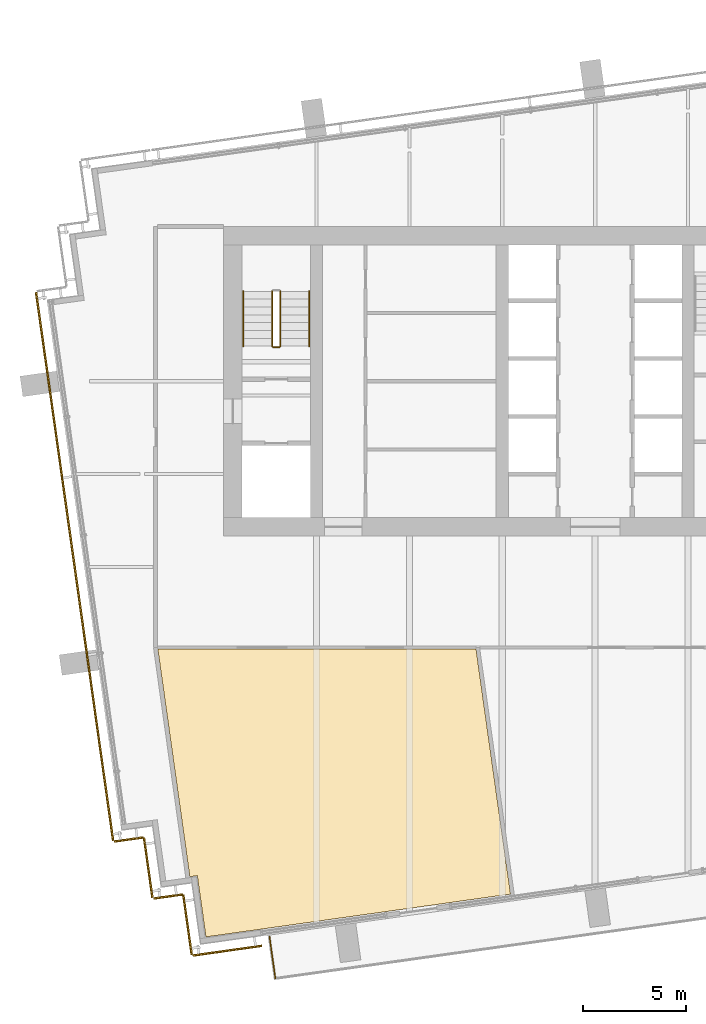
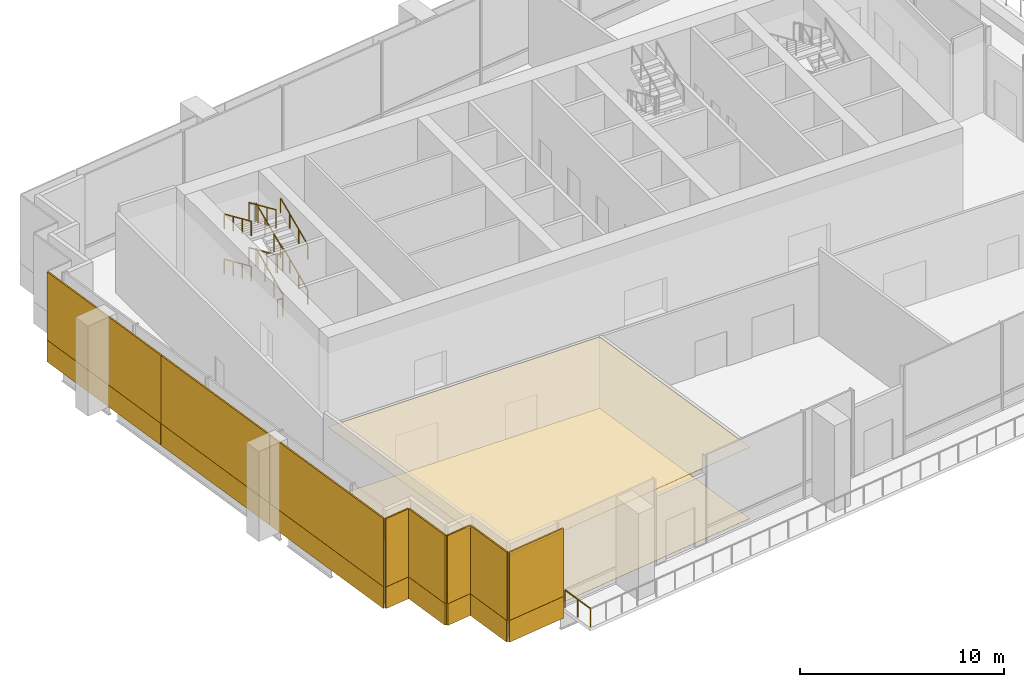
# One storey, part 10 of 14: 18 coverings, 11 railings.
"""IFC4 building model written with IfcOpenShell, lengths in metres."""

from ifc_helpers import new_model, si_unit, direction, frame, origin, origin_2d, place, context, subcontext, project, spatial, polyline, rectangle, outline, extrude, material, layer, layer_set, type_object, element, save


model = new_model("IFC4")

# Units and contexts
model_context = context("Model", 3, precision=1e-05, world=origin(), true_north=direction((0.0, 1.0)))
body_context = subcontext(model_context, "Body", "Model", "MODEL_VIEW")
ifc_project = project(units=[si_unit("LENGTHUNIT", "METRE"), si_unit("AREAUNIT", "SQUARE_METRE"), si_unit("VOLUMEUNIT", "CUBIC_METRE"), si_unit("PLANEANGLEUNIT", "RADIAN"), si_unit("MASSUNIT", "GRAM", prefix="KILO")], contexts=[model_context])

# Site, building, storey
site_placement = place(None, origin())
site = spatial("IfcSite", under=ifc_project, at=site_placement, CompositionType="ELEMENT")
building_placement = place(site_placement, origin())
building = spatial("IfcBuilding", under=site, at=building_placement, Name="Rattan Terrace Tower", CompositionType="ELEMENT")
storey_placement = place(building_placement, frame((0.0, 0.0, 249.699951171875)))
storey = spatial("IfcBuildingStorey", under=building, at=storey_placement, Name="L57", CompositionType="ELEMENT", Elevation=249.699951171875)

# Railings
ifc_material_1 = material(Name="Powder-coated steel guard", Category="steel")
railing_type_1 = type_object("IfcRailingType", Name="Core stair guard", PredefinedType="GUARDRAIL", material=ifc_material_1)
railing_1_placement = place(storey_placement, frame((-15.25, 1.699951171875, 0.168701171875)))
element("IfcRailing", 1, at=railing_1_placement, inside=storey, type_object=railing_type_1, Name="L57 S1 stair guard 1", PredefinedType="GUARDRAIL", context=body_context, shape_type="SweptSolid", body=[
    extrude(rectangle(XDim=0.048095703125, YDim=0.048095703125, at=origin_2d()), frame((0.0, 0.0, 1.076171875), z_axis=(0.0, 0.913925654661, 0.405881630223), x_axis=(-1.0, 0.0, 0.0)), (0.0, 0.0, 1.0), 2.91064453125),
    extrude(rectangle(XDim=0.0419921875, YDim=0.0419921875, at=origin_2d()), origin(), (0.0, 0.0, 1.0), 1.052001953125),
    extrude(rectangle(XDim=0.0419921875, YDim=0.0419921875, at=origin_2d()), frame((0.0, 0.88671875, 0.393798828125)), (0.0, 0.0, 1.0), 1.052001953125),
    extrude(rectangle(XDim=0.0419921875, YDim=0.0419921875, at=origin_2d()), frame((0.0, 1.7734375, 0.78759765625)), (0.0, 0.0, 1.0), 1.052001953125),
    extrude(rectangle(XDim=0.0419921875, YDim=0.0419921875, at=origin_2d()), frame((0.0, 2.66015625, 1.181396484375)), (0.0, 0.0, 1.0), 1.052001953125),
])
railing_2_placement = place(storey_placement, frame((-15.64990234375, 4.360107421875, 1.518798828125)))
element("IfcRailing", 2, at=railing_2_placement, inside=storey, type_object=railing_type_1, Name="L57 S1 stair guard 3", PredefinedType="GUARDRAIL", context=body_context, shape_type="SweptSolid", body=[
    extrude(rectangle(XDim=0.048095703125, YDim=0.048095703125, at=origin_2d()), frame((0.0, 0.0, 1.076171875), z_axis=(0.0, -0.913956766905, 0.405811567391), x_axis=(1.0, 0.0, 0.0)), (0.0, 0.0, 1.0), 2.91064453125),
    extrude(rectangle(XDim=0.0419921875, YDim=0.0419921875, at=origin_2d()), origin(), (0.0, 0.0, 1.0), 1.052001953125),
    extrude(rectangle(XDim=0.0419921875, YDim=0.0419921875, at=origin_2d()), frame((0.0, -0.88671875, 0.393798828125)), (0.0, 0.0, 1.0), 1.052001953125),
    extrude(rectangle(XDim=0.0419921875, YDim=0.0419921875, at=origin_2d()), frame((0.0, -1.7734375, 0.787353515625)), (0.0, 0.0, 1.0), 1.052001953125),
    extrude(rectangle(XDim=0.0419921875, YDim=0.0419921875, at=origin_2d()), frame((0.0, -2.66015625, 1.18115234375)), (0.0, 0.0, 1.0), 1.052001953125),
])
railing_3_placement = place(storey_placement, frame((-15.300048828125, 1.64990234375, 2.699951171875)))
element("IfcRailing", 3, at=railing_3_placement, inside=storey, type_object=railing_type_1, Name="L57 S1 stair guard 4", PredefinedType="GUARDRAIL", context=body_context, shape_type="SweptSolid", body=[
    extrude(rectangle(XDim=0.048095703125, YDim=0.048095703125, at=origin_2d()), frame((0.0, 0.0, 1.076171875), z_axis=(-1.0, 0.0, 0.0), x_axis=(0.0, -1.0, 0.0)), (0.0, 0.0, 1.0), 0.300048828125),
    extrude(rectangle(XDim=0.0419921875, YDim=0.0419921875, at=origin_2d()), origin(), (0.0, 0.0, 1.0), 1.052001953125),
    extrude(rectangle(XDim=0.0419921875, YDim=0.0419921875, at=origin_2d()), frame((-0.300048828125, 0.0, 0.0)), (0.0, 0.0, 1.0), 1.052001953125),
])
railing_4_placement = place(storey_placement, frame((-15.25, 1.699951171875, 2.868896484375)))
element("IfcRailing", 4, at=railing_4_placement, inside=storey, type_object=railing_type_1, Name="L57 S1 stair guard 5", PredefinedType="GUARDRAIL", context=body_context, shape_type="SweptSolid", body=[
    extrude(rectangle(XDim=0.048095703125, YDim=0.048095703125, at=origin_2d()), frame((0.0, 0.0, 1.076171875), z_axis=(0.0, 0.913956766905, 0.405811567391), x_axis=(-1.0, 0.0, 0.0)), (0.0, 0.0, 1.0), 2.91064453125),
    extrude(rectangle(XDim=0.0419921875, YDim=0.0419921875, at=origin_2d()), origin(), (0.0, 0.0, 1.0), 1.052001953125),
    extrude(rectangle(XDim=0.0419921875, YDim=0.0419921875, at=origin_2d()), frame((0.0, 0.88671875, 0.393798828125)), (0.0, 0.0, 1.0), 1.052001953125),
    extrude(rectangle(XDim=0.0419921875, YDim=0.0419921875, at=origin_2d()), frame((0.0, 1.7734375, 0.787353515625)), (0.0, 0.0, 1.0), 1.052001953125),
    extrude(rectangle(XDim=0.0419921875, YDim=0.0419921875, at=origin_2d()), frame((0.0, 2.66015625, 1.18115234375)), (0.0, 0.0, 1.0), 1.052001953125),
])
railing_5_placement = place(storey_placement, frame((-15.64990234375, 4.360107421875, 4.21875)))
element("IfcRailing", 5, at=railing_5_placement, inside=storey, type_object=railing_type_1, Name="L57 S1 stair guard 7", PredefinedType="GUARDRAIL", context=body_context, shape_type="SweptSolid", body=[
    extrude(rectangle(XDim=0.048095703125, YDim=0.048095703125, at=origin_2d()), frame((0.0, 0.0, 1.076171875), z_axis=(0.0, -0.913925654661, 0.405881630223), x_axis=(1.0, 0.0, 0.0)), (0.0, 0.0, 1.0), 2.91064453125),
    extrude(rectangle(XDim=0.0419921875, YDim=0.0419921875, at=origin_2d()), origin(), (0.0, 0.0, 1.0), 1.052001953125),
    extrude(rectangle(XDim=0.0419921875, YDim=0.0419921875, at=origin_2d()), frame((0.0, -0.88671875, 0.393798828125)), (0.0, 0.0, 1.0), 1.052001953125),
    extrude(rectangle(XDim=0.0419921875, YDim=0.0419921875, at=origin_2d()), frame((0.0, -1.7734375, 0.78759765625)), (0.0, 0.0, 1.0), 1.052001953125),
    extrude(rectangle(XDim=0.0419921875, YDim=0.0419921875, at=origin_2d()), frame((0.0, -2.66015625, 1.181396484375)), (0.0, 0.0, 1.0), 1.052001953125),
])
railing_6_placement = place(storey_placement, frame((-15.300048828125, 1.64990234375, 0.0)))
element("IfcRailing", 6, at=railing_6_placement, inside=storey, type_object=railing_type_1, Name="L57 S1 stair guard 8", PredefinedType="GUARDRAIL", context=body_context, shape_type="SweptSolid", body=[
    extrude(rectangle(XDim=0.048095703125, YDim=0.048095703125, at=origin_2d()), frame((0.0, 0.0, 1.076171875), z_axis=(-1.0, 0.0, 0.0), x_axis=(0.0, -1.0, 0.0)), (0.0, 0.0, 1.0), 0.300048828125),
    extrude(rectangle(XDim=0.0419921875, YDim=0.0419921875, at=origin_2d()), origin(), (0.0, 0.0, 1.0), 1.052001953125),
    extrude(rectangle(XDim=0.0419921875, YDim=0.0419921875, at=origin_2d()), frame((-0.300048828125, 0.0, 0.0)), (0.0, 0.0, 1.0), 1.052001953125),
])
ifc_material_2 = material(Name="Powder-coated steel handrail", Category="steel")
railing_type_2 = type_object("IfcRailingType", Name="Core stair handrail", PredefinedType="HANDRAIL", material=ifc_material_2)
railing_7_placement = place(storey_placement, frame((-13.85009765625, 1.699951171875, 0.168701171875)))
element("IfcRailing", 7, at=railing_7_placement, inside=storey, type_object=railing_type_2, Name="L57 S1 stair handrail 1", PredefinedType="HANDRAIL", context=body_context, shape_type="SweptSolid", body=[
    extrude(rectangle(XDim=0.048095703125, YDim=0.048095703125, at=origin_2d()), frame((0.0, 0.0, 0.8759765625), z_axis=(0.0, 0.913925654661, 0.405881630223), x_axis=(-1.0, 0.0, 0.0)), (0.0, 0.0, 1.0), 2.91064453125),
    extrude(rectangle(XDim=0.0419921875, YDim=0.0419921875, at=origin_2d()), origin(), (0.0, 0.0, 1.0), 0.851806640625),
    extrude(rectangle(XDim=0.0419921875, YDim=0.0419921875, at=origin_2d()), frame((0.0, 0.88671875, 0.393798828125)), (0.0, 0.0, 1.0), 0.851806640625),
    extrude(rectangle(XDim=0.0419921875, YDim=0.0419921875, at=origin_2d()), frame((0.0, 1.7734375, 0.78759765625)), (0.0, 0.0, 1.0), 0.851806640625),
    extrude(rectangle(XDim=0.0419921875, YDim=0.0419921875, at=origin_2d()), frame((0.0, 2.66015625, 1.181396484375)), (0.0, 0.0, 1.0), 0.851806640625),
])
railing_8_placement = place(storey_placement, frame((-17.050048828125, 4.360107421875, 1.518798828125)))
element("IfcRailing", 8, at=railing_8_placement, inside=storey, type_object=railing_type_2, Name="L57 S1 stair handrail 2", PredefinedType="HANDRAIL", context=body_context, shape_type="SweptSolid", body=[
    extrude(rectangle(XDim=0.048095703125, YDim=0.048095703125, at=origin_2d()), frame((0.0, 0.0, 0.8759765625), z_axis=(0.0, -0.913956766905, 0.405811567391), x_axis=(1.0, 0.0, 0.0)), (0.0, 0.0, 1.0), 2.91064453125),
    extrude(rectangle(XDim=0.0419921875, YDim=0.0419921875, at=origin_2d()), origin(), (0.0, 0.0, 1.0), 0.851806640625),
    extrude(rectangle(XDim=0.0419921875, YDim=0.0419921875, at=origin_2d()), frame((0.0, -0.88671875, 0.393798828125)), (0.0, 0.0, 1.0), 0.851806640625),
    extrude(rectangle(XDim=0.0419921875, YDim=0.0419921875, at=origin_2d()), frame((0.0, -1.7734375, 0.787353515625)), (0.0, 0.0, 1.0), 0.851806640625),
    extrude(rectangle(XDim=0.0419921875, YDim=0.0419921875, at=origin_2d()), frame((0.0, -2.66015625, 1.18115234375)), (0.0, 0.0, 1.0), 0.851806640625),
])
railing_9_placement = place(storey_placement, frame((-13.85009765625, 1.699951171875, 2.868896484375)))
element("IfcRailing", 9, at=railing_9_placement, inside=storey, type_object=railing_type_2, Name="L57 S1 stair handrail 3", PredefinedType="HANDRAIL", context=body_context, shape_type="SweptSolid", body=[
    extrude(rectangle(XDim=0.048095703125, YDim=0.048095703125, at=origin_2d()), frame((0.0, 0.0, 0.8759765625), z_axis=(0.0, 0.913956766905, 0.405811567391), x_axis=(-1.0, 0.0, 0.0)), (0.0, 0.0, 1.0), 2.91064453125),
    extrude(rectangle(XDim=0.0419921875, YDim=0.0419921875, at=origin_2d()), origin(), (0.0, 0.0, 1.0), 0.851806640625),
    extrude(rectangle(XDim=0.0419921875, YDim=0.0419921875, at=origin_2d()), frame((0.0, 0.88671875, 0.393798828125)), (0.0, 0.0, 1.0), 0.851806640625),
    extrude(rectangle(XDim=0.0419921875, YDim=0.0419921875, at=origin_2d()), frame((0.0, 1.7734375, 0.787353515625)), (0.0, 0.0, 1.0), 0.851806640625),
    extrude(rectangle(XDim=0.0419921875, YDim=0.0419921875, at=origin_2d()), frame((0.0, 2.66015625, 1.18115234375)), (0.0, 0.0, 1.0), 0.851806640625),
])
railing_10_placement = place(storey_placement, frame((-17.050048828125, 4.360107421875, 4.21875)))
element("IfcRailing", 10, at=railing_10_placement, inside=storey, type_object=railing_type_2, Name="L57 S1 stair handrail 4", PredefinedType="HANDRAIL", context=body_context, shape_type="SweptSolid", body=[
    extrude(rectangle(XDim=0.048095703125, YDim=0.048095703125, at=origin_2d()), frame((0.0, 0.0, 0.8759765625), z_axis=(0.0, -0.913925654661, 0.405881630223), x_axis=(1.0, 0.0, 0.0)), (0.0, 0.0, 1.0), 2.91064453125),
    extrude(rectangle(XDim=0.0419921875, YDim=0.0419921875, at=origin_2d()), origin(), (0.0, 0.0, 1.0), 0.851806640625),
    extrude(rectangle(XDim=0.0419921875, YDim=0.0419921875, at=origin_2d()), frame((0.0, -0.88671875, 0.393798828125)), (0.0, 0.0, 1.0), 0.851806640625),
    extrude(rectangle(XDim=0.0419921875, YDim=0.0419921875, at=origin_2d()), frame((0.0, -1.7734375, 0.78759765625)), (0.0, 0.0, 1.0), 0.851806640625),
    extrude(rectangle(XDim=0.0419921875, YDim=0.0419921875, at=origin_2d()), frame((0.0, -2.66015625, 1.181396484375)), (0.0, 0.0, 1.0), 0.851806640625),
])
ifc_material_3 = material(Name="Stainless steel 316", Category="steel")
railing_type_3 = type_object("IfcRailingType", Name="Facade Guard 1100", PredefinedType="GUARDRAIL", material=ifc_material_3)
railing_11_placement = place(storey_placement, frame((-15.493896484375, -28.9208984375, 0.0)))
element("IfcRailing", 11, at=railing_11_placement, inside=storey, type_object=railing_type_3, Name="Terrace guard L57-1-12", PredefinedType="GUARDRAIL", context=body_context, shape_type="SweptSolid", body=[
    extrude(rectangle(XDim=0.048095703125, YDim=0.048095703125, at=origin_2d()), frame((0.0, 0.0, 1.076171875), z_axis=(-0.139543606105, 0.990215926955, 0.0), x_axis=(-0.990215926955, -0.139543606105, 0.0)), (0.0, 0.0, 1.0), 2.020751953125),
    extrude(rectangle(XDim=0.0419921875, YDim=0.0419921875, at=origin_2d()), origin(), (0.0, 0.0, 1.0), 1.052001953125),
    extrude(rectangle(XDim=0.0419921875, YDim=0.0419921875, at=origin_2d()), frame((-0.14111328125, 1.00048828125, 0.0)), (0.0, 0.0, 1.0), 1.052001953125),
    extrude(rectangle(XDim=0.0419921875, YDim=0.0419921875, at=origin_2d()), frame((-0.281982421875, 2.0009765625, 0.0)), (0.0, 0.0, 1.0), 1.052001953125),
])

# Coverings
ifc_material_4 = material(Name="Solid terracotta", Category="masonry")
ifc_layer_1 = layer(ifc_material_4, 0.090087890625)
ifc_layer_set_1 = layer_set([ifc_layer_1], Name="Facade Terracotta Band Panel HZ")
covering_type_1 = type_object("IfcCoveringType", Name="Facade Terracotta Band Panel HZ", PredefinedType="CLADDING", material=ifc_layer_set_1)
covering_1_placement = place(storey_placement, frame((-26.45751953125, -0.18408203125, -0.18994140625), z_axis=(0.0, 0.0, 1.0), x_axis=(0.139191775431, -0.990265444036, 0.0)))
element("IfcCovering", 12, at=covering_1_placement, inside=storey, type_object=covering_type_1, Name="OUTER SKIN panel L57-11A", PredefinedType="CLADDING", context=body_context, shape_type="SweptSolid", body=[
    extrude(rectangle(XDim=9.06689453125, YDim=0.090087890625, at=origin_2d()), origin(), (0.0, 0.0, 1.0), 1.300048828125),
])
covering_2_placement = place(storey_placement, frame((-25.221923828125, -8.974609375, -0.18994140625), z_axis=(0.0, 0.0, 1.0), x_axis=(0.139191775431, -0.990265444036, 0.0)))
element("IfcCovering", 13, at=covering_2_placement, inside=storey, type_object=covering_type_1, Name="OUTER SKIN panel L57-12A", PredefinedType="CLADDING", context=body_context, shape_type="SweptSolid", body=[
    extrude(rectangle(XDim=8.64697265625, YDim=0.090087890625, at=origin_2d()), origin(), (0.0, 0.0, 1.0), 1.300048828125),
])
covering_3_placement = place(storey_placement, frame((-23.986328125, -17.764892578125, -0.18994140625), z_axis=(0.0, 0.0, 1.0), x_axis=(0.139191775431, -0.990265444036, 0.0)))
element("IfcCovering", 14, at=covering_3_placement, inside=storey, type_object=covering_type_1, Name="OUTER SKIN panel L57-13A", PredefinedType="CLADDING", context=body_context, shape_type="SweptSolid", body=[
    extrude(rectangle(XDim=9.066162109375, YDim=0.090087890625, at=origin_2d()), origin(), (0.0, 0.0, 1.0), 1.300048828125),
])
covering_4_placement = place(storey_placement, frame((-22.59033203125, -22.20166015625, -0.18994140625), z_axis=(0.0, 0.0, 1.0), x_axis=(0.990240767803, 0.139367219175, 0.0)))
element("IfcCovering", 15, at=covering_4_placement, inside=storey, type_object=covering_type_1, Name="OUTER SKIN panel L57-14A", PredefinedType="CLADDING", context=body_context, shape_type="SweptSolid", body=[
    extrude(rectangle(XDim=1.419677734375, YDim=0.090087890625, at=origin_2d()), origin(), (0.0, 0.0, 1.0), 1.300048828125),
])
covering_5_placement = place(storey_placement, frame((-21.65576171875, -23.56982421875, -0.18994140625), z_axis=(0.0, 0.0, 1.0), x_axis=(0.139321220646, -0.990247240581, 0.0)))
element("IfcCovering", 16, at=covering_5_placement, inside=storey, type_object=covering_type_1, Name="OUTER SKIN panel L57-15A", PredefinedType="CLADDING", context=body_context, shape_type="SweptSolid", body=[
    extrude(rectangle(XDim=2.919921875, YDim=0.090087890625, at=origin_2d()), origin(), (0.0, 0.0, 1.0), 1.300048828125),
])
covering_6_placement = place(storey_placement, frame((-20.687255859375, -24.9638671875, -0.18994140625), z_axis=(0.0, 0.0, 1.0), x_axis=(0.990332587523, 0.138713251317, 0.0)))
element("IfcCovering", 17, at=covering_6_placement, inside=storey, type_object=covering_type_1, Name="OUTER SKIN panel L57-16A", PredefinedType="CLADDING", context=body_context, shape_type="SweptSolid", body=[
    extrude(rectangle(XDim=1.41943359375, YDim=0.090087890625, at=origin_2d()), origin(), (0.0, 0.0, 1.0), 1.300048828125),
])
covering_7_placement = place(storey_placement, frame((-19.752685546875, -26.332275390625, -0.18994140625), z_axis=(0.0, 0.0, 1.0), x_axis=(0.139367219175, -0.990240767803, 0.0)))
element("IfcCovering", 18, at=covering_7_placement, inside=storey, type_object=covering_type_1, Name="OUTER SKIN panel L57-17A", PredefinedType="CLADDING", context=body_context, shape_type="SweptSolid", body=[
    extrude(rectangle(XDim=2.91943359375, YDim=0.090087890625, at=origin_2d()), origin(), (0.0, 0.0, 1.0), 1.300048828125),
])
covering_8_placement = place(storey_placement, frame((-17.819091796875, -27.59033203125, -0.18994140625), z_axis=(0.0, 0.0, 1.0), x_axis=(0.990286729519, 0.139040257974, 0.0)))
element("IfcCovering", 19, at=covering_8_placement, inside=storey, type_object=covering_type_1, Name="OUTER SKIN panel L57-18A", PredefinedType="CLADDING", context=body_context, shape_type="SweptSolid", body=[
    extrude(rectangle(XDim=3.368896484375, YDim=0.090087890625, at=origin_2d()), origin(), (0.0, 0.0, 1.0), 1.300048828125),
])
ifc_material_5 = material(Name="Perforated terracotta", Category="masonry")
ifc_layer_2 = layer(ifc_material_5, 0.080078125)
ifc_layer_set_2 = layer_set([ifc_layer_2], Name="Facade Terracotta Screen Panel HZ")
covering_type_2 = type_object("IfcCoveringType", Name="Facade Terracotta Screen Panel HZ", PredefinedType="CLADDING", material=ifc_layer_set_2)
covering_9_placement = place(storey_placement, frame((-26.45263671875, -0.183349609375, 1.110107421875), z_axis=(0.0, 0.0, 1.0), x_axis=(0.139191775431, -0.990265444036, 0.0)))
element("IfcCovering", 20, at=covering_9_placement, inside=storey, type_object=covering_type_2, Name="OUTER SKIN panel L57-11B", PredefinedType="CLADDING", context=body_context, shape_type="SweptSolid", body=[
    extrude(rectangle(XDim=9.06689453125, YDim=0.080078125, at=origin_2d()), origin(), (0.0, 0.0, 1.0), 4.080078125),
])
covering_10_placement = place(storey_placement, frame((-25.217041015625, -8.973876953125, 1.110107421875), z_axis=(0.0, 0.0, 1.0), x_axis=(0.139191775431, -0.990265444036, 0.0)))
element("IfcCovering", 21, at=covering_10_placement, inside=storey, type_object=covering_type_2, Name="OUTER SKIN panel L57-12B", PredefinedType="CLADDING", context=body_context, shape_type="SweptSolid", body=[
    extrude(rectangle(XDim=8.64697265625, YDim=0.080078125, at=origin_2d()), origin(), (0.0, 0.0, 1.0), 4.080078125),
])
covering_11_placement = place(storey_placement, frame((-23.9814453125, -17.76416015625, 1.110107421875), z_axis=(0.0, 0.0, 1.0), x_axis=(0.139191775431, -0.990265444036, 0.0)))
element("IfcCovering", 22, at=covering_11_placement, inside=storey, type_object=covering_type_2, Name="OUTER SKIN panel L57-13B", PredefinedType="CLADDING", context=body_context, shape_type="SweptSolid", body=[
    extrude(rectangle(XDim=9.066162109375, YDim=0.080078125, at=origin_2d()), origin(), (0.0, 0.0, 1.0), 4.080078125),
])
covering_12_placement = place(storey_placement, frame((-22.591064453125, -22.19677734375, 1.110107421875), z_axis=(0.0, 0.0, 1.0), x_axis=(0.990240767803, 0.139367219175, 0.0)))
element("IfcCovering", 23, at=covering_12_placement, inside=storey, type_object=covering_type_2, Name="OUTER SKIN panel L57-14B", PredefinedType="CLADDING", context=body_context, shape_type="SweptSolid", body=[
    extrude(rectangle(XDim=1.419677734375, YDim=0.080078125, at=origin_2d()), origin(), (0.0, 0.0, 1.0), 4.080078125),
])
covering_13_placement = place(storey_placement, frame((-21.65087890625, -23.569091796875, 1.110107421875), z_axis=(0.0, 0.0, 1.0), x_axis=(0.139321220646, -0.990247240581, 0.0)))
element("IfcCovering", 24, at=covering_13_placement, inside=storey, type_object=covering_type_2, Name="OUTER SKIN panel L57-15B", PredefinedType="CLADDING", context=body_context, shape_type="SweptSolid", body=[
    extrude(rectangle(XDim=2.919921875, YDim=0.080078125, at=origin_2d()), origin(), (0.0, 0.0, 1.0), 4.080078125),
])
covering_14_placement = place(storey_placement, frame((-20.68798828125, -24.958984375, 1.110107421875), z_axis=(0.0, 0.0, 1.0), x_axis=(0.990332587523, 0.138713251317, 0.0)))
element("IfcCovering", 25, at=covering_14_placement, inside=storey, type_object=covering_type_2, Name="OUTER SKIN panel L57-16B", PredefinedType="CLADDING", context=body_context, shape_type="SweptSolid", body=[
    extrude(rectangle(XDim=1.41943359375, YDim=0.080078125, at=origin_2d()), origin(), (0.0, 0.0, 1.0), 4.080078125),
])
covering_15_placement = place(storey_placement, frame((-19.747802734375, -26.33154296875, 1.110107421875), z_axis=(0.0, 0.0, 1.0), x_axis=(0.139367219175, -0.990240767803, 0.0)))
element("IfcCovering", 26, at=covering_15_placement, inside=storey, type_object=covering_type_2, Name="OUTER SKIN panel L57-17B", PredefinedType="CLADDING", context=body_context, shape_type="SweptSolid", body=[
    extrude(rectangle(XDim=2.91943359375, YDim=0.080078125, at=origin_2d()), origin(), (0.0, 0.0, 1.0), 4.080078125),
])
covering_16_placement = place(storey_placement, frame((-17.81982421875, -27.585205078125, 1.110107421875), z_axis=(0.0, 0.0, 1.0), x_axis=(0.990286729519, 0.139040257974, 0.0)))
element("IfcCovering", 27, at=covering_16_placement, inside=storey, type_object=covering_type_2, Name="OUTER SKIN panel L57-18B", PredefinedType="CLADDING", context=body_context, shape_type="SweptSolid", body=[
    extrude(rectangle(XDim=3.368896484375, YDim=0.080078125, at=origin_2d()), origin(), (0.0, 0.0, 1.0), 4.080078125),
])
ifc_material_6 = material(Name="Polished limestone", Category="masonry")
ifc_layer_3 = layer(ifc_material_6, 0.02001953125)
ifc_layer_set_3 = layer_set([ifc_layer_3], Name="Lobby Floor Finish Stone 20")
covering_type_3 = type_object("IfcCoveringType", Name="Lobby Floor Finish Stone 20", PredefinedType="FLOORING", material=ifc_layer_set_3)
covering_17_placement = place(storey_placement, origin())
element("IfcCovering", 28, at=covering_17_placement, inside=storey, type_object=covering_type_3, Name="Floor finish L57-104", PredefinedType="FLOORING", context=body_context, shape_type="SweptSolid", body=[
    extrude(outline(polyline([(-19.27490234375, -23.952880859375), (-18.85693359375, -26.923095703125), (-16.222900390625, -26.552978515625), (-10.373046875, -25.73095703125), (-6.80810546875, -25.22998046875), (-6.80810546875, -25.22900390625), (-4.09912109375, -24.84912109375), (-5.76904296875, -12.97509765625), (-21.18798828125, -12.97509765625), (-19.637939453125, -24.00390625), (-19.27490234375, -23.952880859375)])), origin(), (0.0, 0.0, 1.0), 0.02001953125),
])
ifc_material_7 = material(Name="Gypsum board, painted")
ifc_layer_4 = layer(ifc_material_7, 0.02490234375)
ifc_layer_set_4 = layer_set([ifc_layer_4], Name="Suspended Ceiling Gypsum 25")
covering_type_4 = type_object("IfcCoveringType", Name="Suspended Ceiling Gypsum 25", PredefinedType="CEILING", material=ifc_layer_set_4)
covering_18_placement = place(storey_placement, frame((0.0, 0.0, 4.275146484375)))
element("IfcCovering", 29, at=covering_18_placement, inside=storey, type_object=covering_type_4, Name="Ceiling L57-104", PredefinedType="CEILING", context=body_context, shape_type="SweptSolid", body=[
    extrude(outline(polyline([(-19.27490234375, -23.952880859375), (-18.85693359375, -26.923095703125), (-16.222900390625, -26.552978515625), (-10.373046875, -25.73095703125), (-6.80810546875, -25.22998046875), (-6.80810546875, -25.22900390625), (-4.09912109375, -24.84912109375), (-5.76904296875, -12.97509765625), (-21.18798828125, -12.97509765625), (-19.637939453125, -24.00390625), (-19.27490234375, -23.952880859375)])), origin(), (0.0, 0.0, 1.0), 0.02490234375),
])

save(model, "model.ifc")
